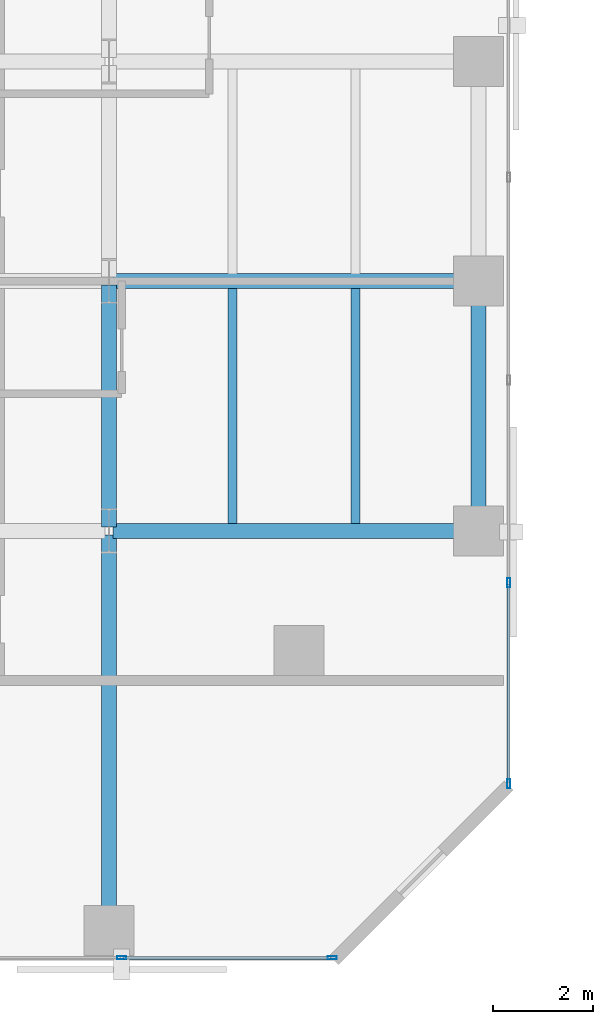
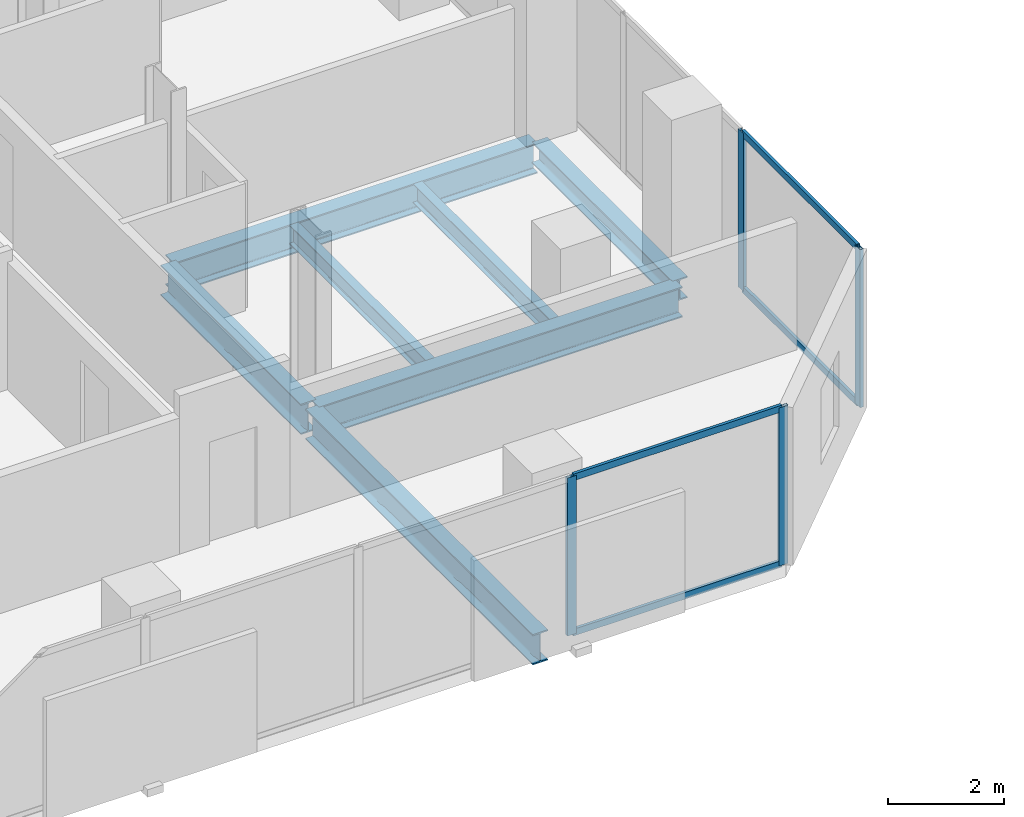
# One storey, part 6 of 32: 8 members, 7 beams, 2 elements without a shape of their own.
"""IFC4 building model written with IfcOpenShell, lengths in metres."""

from ifc_helpers import new_model, si_unit, direction, frame, origin, origin_2d, place, context, subcontext, project, spatial, hollow_rectangle, i_section, extrude, material, layer, layer_set, material_profile, profile_set, type_object, element, aggregate, save


model = new_model("IFC4")

# Units and contexts
model_context = context("Model", 3, precision=1e-05, world=origin(), true_north=direction((0.0, 1.0)))
body_context = subcontext(model_context, "Body", "Model", "MODEL_VIEW")
ifc_project = project(units=[si_unit("LENGTHUNIT", "METRE"), si_unit("AREAUNIT", "SQUARE_METRE"), si_unit("VOLUMEUNIT", "CUBIC_METRE"), si_unit("PLANEANGLEUNIT", "RADIAN"), si_unit("MASSUNIT", "GRAM", prefix="KILO")], contexts=[model_context])

# Site, building, storey
site_placement = place(None, origin())
site = spatial("IfcSite", under=ifc_project, at=site_placement, CompositionType="ELEMENT")
building_placement = place(site_placement, origin())
building = spatial("IfcBuilding", under=site, at=building_placement, Name="Catumbela Crestline Tower", CompositionType="ELEMENT")
storey_placement = place(building_placement, frame((0.0, 0.0, 33.0)))
storey = spatial("IfcBuildingStorey", under=building, at=storey_placement, Name="L07", CompositionType="ELEMENT", Elevation=33.0)

# Beams
ifc_material_1 = material(Name="Structural steel S355J2", Category="steel")
ifc_material_profile_1 = material_profile(ifc_material_1, i_section(OverallWidth=0.3, OverallDepth=0.64, WebThickness=0.0135, FlangeThickness=0.026, FilletRadius=0.027, at=origin_2d()), Name="HEA 650")
ifc_profile_set_1 = profile_set([ifc_material_profile_1], Name="Structural steel S355J2")
beam_type_1 = type_object("IfcBeamType", Name="BG-HEA650", PredefinedType="BEAM", material=ifc_profile_set_1)
for number, where, z_axis, x_axis, name in (
    (1, (16.08, 8.6, -0.58), (1.0, 0.0, 0.0), (0.0, 1.0, 0.0), "L07 Beam BM-L07-WEW50"),
    (2, (16.08, 13.6, -0.58), (1.0, 0.0, 0.0), (0.0, 1.0, 0.0), "L07 Beam BM-L07-WEW53"),
):
    element("IfcBeam", number, at=place(storey_placement, frame(where, z_axis=z_axis, x_axis=x_axis)), inside=storey, type_object=beam_type_1, Name=name, PredefinedType="BEAM", context=body_context, shape_type="SweptSolid", body=[
        extrude(i_section(OverallWidth=0.3, OverallDepth=0.64, WebThickness=0.0135, FlangeThickness=0.026, FilletRadius=0.027, at=origin_2d()), origin(), (0.0, 0.0, 1.0), 7.24),
    ])
beam_1_placement = place(storey_placement, frame((16.0, 0.68, -0.58), z_axis=(0.0, 1.0, 0.0), x_axis=(-1.0, 0.0, 0.0)))
element("IfcBeam", 3, at=beam_1_placement, inside=storey, type_object=beam_type_1, Name="L07 Beam BM-L07-WNS64", PredefinedType="BEAM", context=body_context, shape_type="SweptSolid", body=[
    extrude(i_section(OverallWidth=0.3, OverallDepth=0.64, WebThickness=0.0135, FlangeThickness=0.026, FilletRadius=0.027, at=origin_2d()), origin(), (0.0, 0.0, 1.0), 7.84),
])
beam_2_placement = place(storey_placement, frame((16.0, 8.68, -0.58), z_axis=(0.0, 1.0, 0.0), x_axis=(-1.0, 0.0, 0.0)))
element("IfcBeam", 4, at=beam_2_placement, inside=storey, type_object=beam_type_1, Name="L07 Beam BM-L07-WNS65", PredefinedType="BEAM", context=body_context, shape_type="SweptSolid", body=[
    extrude(i_section(OverallWidth=0.3, OverallDepth=0.64, WebThickness=0.0135, FlangeThickness=0.026, FilletRadius=0.027, at=origin_2d()), origin(), (0.0, 0.0, 1.0), 4.84),
])
ifc_material_profile_2 = material_profile(ifc_material_1, i_section(OverallWidth=0.18, OverallDepth=0.4, WebThickness=0.0086, FlangeThickness=0.0135, FilletRadius=0.021, at=origin_2d()), Name="IPE 400")
ifc_profile_set_2 = profile_set([ifc_material_profile_2], Name="Structural steel S355J2")
beam_type_2 = type_object("IfcBeamType", Name="BJ-IPE400", PredefinedType="JOIST", material=ifc_profile_set_2)
for number, where, z_axis, x_axis, name in (
    (5, (18.467, 8.747, -0.46), (0.0, 1.0, 0.0), (-1.0, 0.0, 0.0), "L07 Joist JS-L07-WG74"),
    (6, (20.933, 8.747, -0.46), (0.0, 1.0, 0.0), (-1.0, 0.0, 0.0), "L07 Joist JS-L07-WG75"),
):
    element("IfcBeam", number, at=place(storey_placement, frame(where, z_axis=z_axis, x_axis=x_axis)), inside=storey, type_object=beam_type_2, Name=name, PredefinedType="JOIST", context=body_context, shape_type="SweptSolid", body=[
        extrude(i_section(OverallWidth=0.18, OverallDepth=0.4, WebThickness=0.0086, FlangeThickness=0.0135, FilletRadius=0.021, at=origin_2d()), origin(), (0.0, 0.0, 1.0), 4.706),
    ])

# Curtain wall, members
ifc_material_2 = material(Name="Aluminium alloy AW-6060-T66", Category="aluminium")
ifc_layer = layer(ifc_material_2, 0.18, Name="Aluminium alloy AW-6060-T66")
ifc_layer_set = layer_set([ifc_layer], Name="Aluminium alloy AW-6060-T66")
curtain_wall_type = type_object("IfcCurtainWallType", Name="CWU-Z1", PredefinedType="USERDEFINED", material=ifc_layer_set)
curtain_wall_1_placement = place(storey_placement, origin())
curtain_wall_1 = element("IfcCurtainWall", 7, at=curtain_wall_1_placement, inside=storey, type_object=curtain_wall_type, Name="L07 Unitised Curtain Wall CW-L07-E0S1", ObjectType="UNITISED", PredefinedType="USERDEFINED")
ifc_material_profile_3 = material_profile(ifc_material_2, hollow_rectangle(XDim=0.065, YDim=0.18, WallThickness=0.004, at=origin_2d()), Name="ALU 180x65x4")
ifc_profile_set_3 = profile_set([ifc_material_profile_3], Name="Aluminium alloy AW-6060-T66")
member_type_1 = type_object("IfcMemberType", Name="MUL-180X65", PredefinedType="MULLION", material=ifc_profile_set_3)
member_1_placement = place(storey_placement, frame((16.25, 0.05, 0.0), z_axis=(0.0, 0.0, 1.0), x_axis=(0.0, 1.0, 0.0)))
member_1 = element("IfcMember", 8, at=member_1_placement, type_object=member_type_1, Name="CWU-Z1 mullion 4", PredefinedType="MULLION", context=body_context, shape_type="SweptSolid", body=[
    extrude(hollow_rectangle(XDim=0.065, YDim=0.18, WallThickness=0.004, at=origin_2d()), origin(), (0.0, 0.0, 1.0), 3.33),
])
member_2_placement = place(storey_placement, frame((20.4675, 0.05, 0.0), z_axis=(0.0, 0.0, 1.0), x_axis=(0.0, 1.0, 0.0)))
member_2 = element("IfcMember", 9, at=member_2_placement, type_object=member_type_1, Name="CWU-Z1 mullion 5", PredefinedType="MULLION", context=body_context, shape_type="SweptSolid", body=[
    extrude(hollow_rectangle(XDim=0.065, YDim=0.18, WallThickness=0.004, at=origin_2d()), origin(), (0.0, 0.0, 1.0), 3.33),
])

curtain_wall_2_placement = place(storey_placement, origin())
curtain_wall_2 = element("IfcCurtainWall", 10, at=curtain_wall_2_placement, inside=storey, type_object=curtain_wall_type, Name="L07 Unitised Curtain Wall CW-L07-E2S1", ObjectType="UNITISED", PredefinedType="USERDEFINED")
member_3_placement = place(storey_placement, frame((24.0, 3.5325, 0.0), z_axis=(0.0, 0.0, 1.0), x_axis=(-1.0, 0.0, 0.0)))
member_3 = element("IfcMember", 11, at=member_3_placement, type_object=member_type_1, Name="CWU-Z1 mullion 1", PredefinedType="MULLION", context=body_context, shape_type="SweptSolid", body=[
    extrude(hollow_rectangle(XDim=0.065, YDim=0.18, WallThickness=0.004, at=origin_2d()), origin(), (0.0, 0.0, 1.0), 3.33),
])
member_4_placement = place(storey_placement, frame((24.0, 7.56, 0.0), z_axis=(0.0, 0.0, 1.0), x_axis=(-1.0, 0.0, 0.0)))
member_4 = element("IfcMember", 12, at=member_4_placement, type_object=member_type_1, Name="CWU-Z1 mullion 2", PredefinedType="MULLION", context=body_context, shape_type="SweptSolid", body=[
    extrude(hollow_rectangle(XDim=0.065, YDim=0.18, WallThickness=0.004, at=origin_2d()), origin(), (0.0, 0.0, 1.0), 3.33),
])

# Beam
ifc_material_profile_4 = material_profile(ifc_material_1, i_section(OverallWidth=0.3, OverallDepth=0.45, WebThickness=0.014, FlangeThickness=0.026, FilletRadius=0.027, at=origin_2d()), Name="HEB 450")
ifc_profile_set_4 = profile_set([ifc_material_profile_4], Name="Structural steel S355J2")
beam_type_3 = type_object("IfcBeamType", Name="BS-HEB450", PredefinedType="SPANDREL", material=ifc_profile_set_4)
beam_3_placement = place(storey_placement, frame((23.4, 8.68, -0.485), z_axis=(0.0, 1.0, 0.0), x_axis=(-1.0, 0.0, 0.0)))
element("IfcBeam", 13, at=beam_3_placement, inside=storey, type_object=beam_type_3, Name="L07 Spandrel SP-L07-WNS68", PredefinedType="SPANDREL", context=body_context, shape_type="SweptSolid", body=[
    extrude(i_section(OverallWidth=0.3, OverallDepth=0.45, WebThickness=0.014, FlangeThickness=0.026, FilletRadius=0.027, at=origin_2d()), origin(), (0.0, 0.0, 1.0), 4.84),
])

# Member
ifc_material_profile_5 = material_profile(ifc_material_2, hollow_rectangle(XDim=0.06, YDim=0.14, WallThickness=0.004, at=origin_2d()), Name="ALU 140x60x4")
ifc_profile_set_5 = profile_set([ifc_material_profile_5], Name="Aluminium alloy AW-6060-T66")
member_type_2 = type_object("IfcMemberType", Name="TRN-140X60", PredefinedType="USERDEFINED", material=ifc_profile_set_5)
member_5_placement = place(storey_placement, frame((16.2825, 0.05, 0.03), z_axis=(1.0, 0.0, 0.0), x_axis=(0.0, 1.0, 0.0)))
member_5 = element("IfcMember", 14, at=member_5_placement, type_object=member_type_2, Name="CWU-Z1 transom 4.1", ObjectType="TRANSOM", PredefinedType="USERDEFINED", context=body_context, shape_type="SweptSolid", body=[
    extrude(hollow_rectangle(XDim=0.06, YDim=0.14, WallThickness=0.004, at=origin_2d()), origin(), (0.0, 0.0, 1.0), 4.1525),
])

member_6_placement = place(storey_placement, frame((16.2825, 0.05, 3.3), z_axis=(1.0, 0.0, 0.0), x_axis=(0.0, 1.0, 0.0)))
member_6 = element("IfcMember", 15, at=member_6_placement, type_object=member_type_2, Name="CWU-Z1 transom 4.2", ObjectType="TRANSOM", PredefinedType="USERDEFINED", context=body_context, shape_type="SweptSolid", body=[
    extrude(hollow_rectangle(XDim=0.06, YDim=0.14, WallThickness=0.004, at=origin_2d()), origin(), (0.0, 0.0, 1.0), 4.1525),
])

aggregate(curtain_wall_1, [member_1, member_2, member_5, member_6])

member_7_placement = place(storey_placement, frame((24.0, 3.565, 0.03), z_axis=(0.0, 1.0, 0.0), x_axis=(-1.0, 0.0, 0.0)))
member_7 = element("IfcMember", 16, at=member_7_placement, type_object=member_type_2, Name="CWU-Z1 transom 1.1", ObjectType="TRANSOM", PredefinedType="USERDEFINED", context=body_context, shape_type="SweptSolid", body=[
    extrude(hollow_rectangle(XDim=0.06, YDim=0.14, WallThickness=0.004, at=origin_2d()), origin(), (0.0, 0.0, 1.0), 3.9625),
])

member_8_placement = place(storey_placement, frame((24.0, 3.565, 3.3), z_axis=(0.0, 1.0, 0.0), x_axis=(-1.0, 0.0, 0.0)))
member_8 = element("IfcMember", 17, at=member_8_placement, type_object=member_type_2, Name="CWU-Z1 transom 1.2", ObjectType="TRANSOM", PredefinedType="USERDEFINED", context=body_context, shape_type="SweptSolid", body=[
    extrude(hollow_rectangle(XDim=0.06, YDim=0.14, WallThickness=0.004, at=origin_2d()), origin(), (0.0, 0.0, 1.0), 3.9625),
])

aggregate(curtain_wall_2, [member_3, member_4, member_7, member_8])

save(model, "model.ifc")
